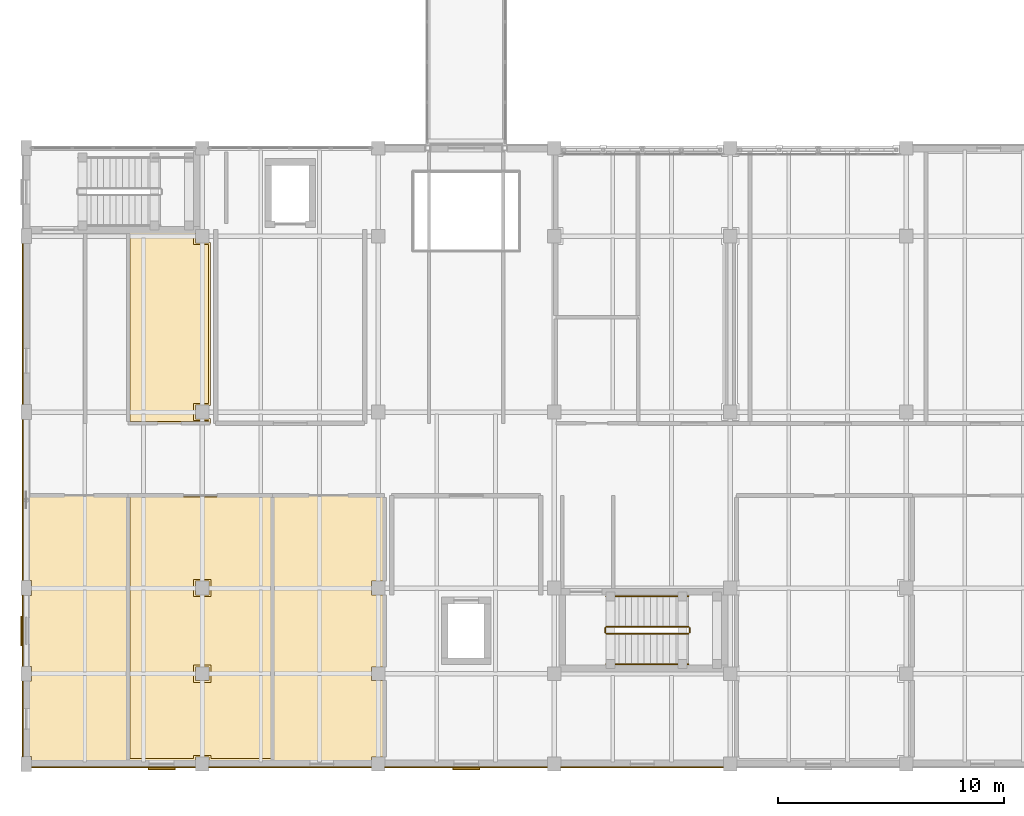
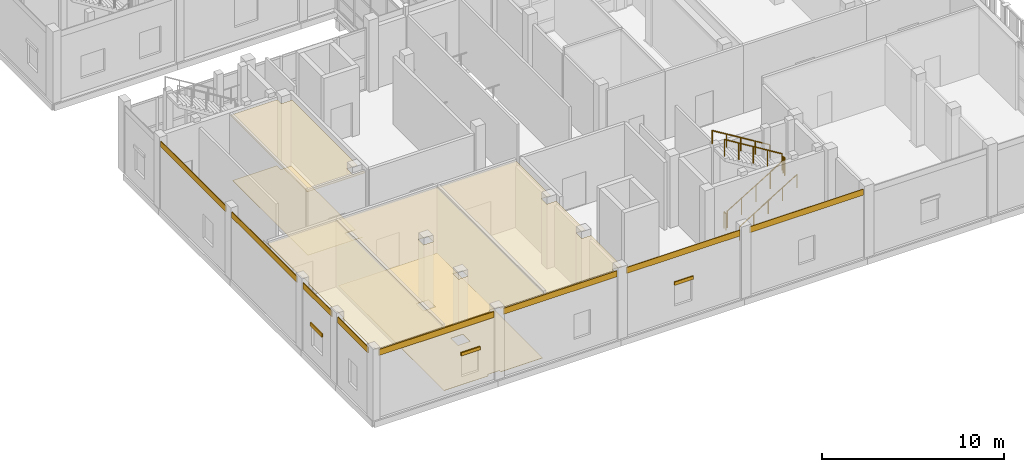
# One storey, part 118 of 138: 14 coverings, 6 railings, 3 shading devices.
"""IFC4 building model written with IfcOpenShell, lengths in metres."""

from ifc_helpers import new_model, si_unit, direction, frame, origin, origin_2d, place, context, subcontext, project, spatial, polyline, rectangle, circle, outline, extrude, material, layer, layer_set, type_object, element, save


model = new_model("IFC4")

# Units and contexts
model_context = context("Model", 3, precision=1e-05, world=origin(), true_north=direction((0.0, 1.0)))
body_context = subcontext(model_context, "Body", "Model", "MODEL_VIEW")
ifc_project = project(units=[si_unit("LENGTHUNIT", "METRE"), si_unit("AREAUNIT", "SQUARE_METRE"), si_unit("VOLUMEUNIT", "CUBIC_METRE"), si_unit("PLANEANGLEUNIT", "RADIAN"), si_unit("MASSUNIT", "GRAM", prefix="KILO")], contexts=[model_context])

# Site, building, storey
site_placement = place(None, origin())
site = spatial("IfcSite", under=ifc_project, at=site_placement, CompositionType="ELEMENT")
building_placement = place(site_placement, origin())
building = spatial("IfcBuilding", under=site, at=building_placement, Name="Celorna Specialist Clinic", CompositionType="ELEMENT")
storey_placement = place(building_placement, frame((0.0, 0.0, 4.800048828125)))
storey = spatial("IfcBuildingStorey", under=building, at=storey_placement, Name="L01", CompositionType="ELEMENT", Elevation=4.800048828125)

# Coverings
ifc_material_1 = material(Name="Hygienic acoustic mineral-fibre ceiling")
ifc_layer_1 = layer(ifc_material_1, 0.030029296875, Name="Hygienic acoustic mineral-fibre ceiling")
ifc_layer_set_1 = layer_set([ifc_layer_1], Name="Hygienic acoustic mineral-fibre ceiling")
covering_type_1 = type_object("IfcCoveringType", Name="CE-01", PredefinedType="CEILING", material=ifc_layer_set_1)
covering_1_placement = place(storey_placement, frame((0.0, 0.0, 4.329833984375)))
element("IfcCovering", 1, at=covering_1_placement, inside=storey, type_object=covering_type_1, Name="Acoustic ceiling L01-094", PredefinedType="CEILING", context=body_context, shape_type="SweptSolid", body=[
    extrude(outline(polyline([(0.155029296875, 3.669921875), (0.22998046875, 3.669921875), (0.22998046875, 4.330078125), (0.155029296875, 4.330078125), (0.155029296875, 7.469970703125), (0.22998046875, 7.469970703125), (0.22998046875, 8.1298828125), (0.155029296875, 8.1298828125), (0.155029296875, 11.9150390625), (4.534912109375, 11.9150390625), (4.534912109375, 0.155029296875), (0.22998046875, 0.155029296875), (0.22998046875, 0.330078125), (0.155029296875, 0.330078125), (0.155029296875, 3.669921875)])), origin(), (0.0, 0.0, 1.0), 0.030029296875),
])
covering_2_placement = place(storey_placement, frame((0.0, 0.0, 4.329833984375)))
element("IfcCovering", 2, at=covering_2_placement, inside=storey, type_object=covering_type_1, Name="Acoustic ceiling L01-095", PredefinedType="CEILING", context=body_context, shape_type="SweptSolid", body=[
    extrude(outline(polyline([(10.93505859375, 11.9150390625), (10.93505859375, 0.155029296875), (8.10498046875, 0.155029296875), (8.10498046875, 0.304931640625), (7.4951171875, 0.304931640625), (7.4951171875, 0.155029296875), (4.5048828125, 0.155029296875), (4.5048828125, 11.9150390625), (10.93505859375, 11.9150390625)]), holes=[polyline([(8.10498046875, 3.695068359375), (8.10498046875, 4.304931640625), (7.4951171875, 4.304931640625), (7.4951171875, 3.695068359375), (8.10498046875, 3.695068359375)]), polyline([(8.10498046875, 7.4951171875), (8.10498046875, 8.10498046875), (7.4951171875, 8.10498046875), (7.4951171875, 7.4951171875), (8.10498046875, 7.4951171875)])]), origin(), (0.0, 0.0, 1.0), 0.030029296875),
])
covering_3_placement = place(storey_placement, frame((0.0, 0.0, 4.329833984375)))
element("IfcCovering", 3, at=covering_3_placement, inside=storey, type_object=covering_type_1, Name="Acoustic ceiling L01-096", PredefinedType="CEILING", context=body_context, shape_type="SweptSolid", body=[
    extrude(outline(polyline([(15.885009765625, 11.9150390625), (15.885009765625, 8.10498046875), (15.294921875, 8.10498046875), (15.294921875, 7.4951171875), (15.885009765625, 7.4951171875), (15.885009765625, 4.304931640625), (15.294921875, 4.304931640625), (15.294921875, 3.695068359375), (15.885009765625, 3.695068359375), (15.885009765625, 0.304931640625), (15.294921875, 0.304931640625), (15.294921875, 0.155029296875), (10.905029296875, 0.155029296875), (10.905029296875, 11.9150390625), (15.885009765625, 11.9150390625)])), origin(), (0.0, 0.0, 1.0), 0.030029296875),
])
covering_4_placement = place(storey_placement, frame((0.0, 0.0, 4.329833984375)))
element("IfcCovering", 4, at=covering_4_placement, inside=storey, type_object=covering_type_1, Name="Acoustic ceiling L01-099", PredefinedType="CEILING", context=body_context, shape_type="SweptSolid", body=[
    extrude(outline(polyline([(8.1650390625, 15.0849609375), (4.5048828125, 15.0849609375), (4.5048828125, 23.534912109375), (7.4951171875, 23.534912109375), (7.4951171875, 23.094970703125), (8.10498046875, 23.094970703125), (8.10498046875, 23.10498046875), (8.1650390625, 23.10498046875), (8.1650390625, 15.89501953125), (8.10498046875, 15.89501953125), (8.10498046875, 15.905029296875), (7.4951171875, 15.905029296875), (7.4951171875, 15.294921875), (8.10498046875, 15.294921875), (8.10498046875, 15.304931640625), (8.1650390625, 15.304931640625), (8.1650390625, 15.0849609375)])), origin(), (0.0, 0.0, 1.0), 0.030029296875),
])
ifc_material_2 = material(Name="Pero Pinheiro Lioz limestone rainscreen cladding", Category="masonry")
ifc_layer_2 = layer(ifc_material_2, 0.044921875, Name="Pero Pinheiro Lioz limestone rainscreen cladding")
ifc_layer_set_2 = layer_set([ifc_layer_2], Name="Pero Pinheiro Lioz limestone rainscreen cladding")
covering_type_2 = type_object("IfcCoveringType", Name="CL-01", PredefinedType="CLADDING", material=ifc_layer_set_2)
covering_5_placement = place(storey_placement, frame((3.862548828125, -0.1474609375, 4.139892578125), z_axis=(0.0, 0.0, 1.0), x_axis=(-1.0, 0.0, 0.0)))
element("IfcCovering", 5, at=covering_5_placement, inside=storey, type_object=covering_type_2, Name="Lioz spandrel cladding #320", PredefinedType="CLADDING", context=body_context, shape_type="SweptSolid", body=[
    extrude(rectangle(XDim=7.27490234375, YDim=0.044921875, at=origin_2d()), origin(), (0.0, 0.0, 1.0), 0.39990234375),
])
for number, where, z_axis, x_axis, name in (
    (6, (11.699951171875, -0.1474609375, 4.139892578125), (0.0, 0.0, 1.0), (-1.0, 0.0, 0.0), "Lioz spandrel cladding #321"),
    (7, (19.5, -0.1474609375, 4.139892578125), (0.0, 0.0, 1.0), (-1.0, 0.0, 0.0), "Lioz spandrel cladding #322"),
    (8, (27.300048828125, -0.1474609375, 4.139892578125), (0.0, 0.0, 1.0), (-1.0, 0.0, 0.0), "Lioz spandrel cladding #323"),
):
    element("IfcCovering", number, at=place(storey_placement, frame(where, z_axis=z_axis, x_axis=x_axis)), inside=storey, type_object=covering_type_2, Name=name, PredefinedType="CLADDING", context=body_context, shape_type="SweptSolid", body=[
        extrude(rectangle(XDim=7.199951171875, YDim=0.044921875, at=origin_2d()), origin(), (0.0, 0.0, 1.0), 0.39990234375),
    ])
covering_6_placement = place(storey_placement, frame((-0.1474609375, 2.0, 4.139892578125), z_axis=(0.0, 0.0, 1.0), x_axis=(0.0, 1.0, 0.0)))
element("IfcCovering", 9, at=covering_6_placement, inside=storey, type_object=covering_type_2, Name="Lioz spandrel cladding #330", PredefinedType="CLADDING", context=body_context, shape_type="SweptSolid", body=[
    extrude(rectangle(XDim=3.35009765625, YDim=0.044921875, at=origin_2d()), origin(), (0.0, 0.0, 1.0), 0.39990234375),
])
covering_7_placement = place(storey_placement, frame((-0.1474609375, 5.89990234375, 4.139892578125), z_axis=(0.0, 0.0, 1.0), x_axis=(0.0, 1.0, 0.0)))
element("IfcCovering", 10, at=covering_7_placement, inside=storey, type_object=covering_type_2, Name="Lioz spandrel cladding #331", PredefinedType="CLADDING", context=body_context, shape_type="SweptSolid", body=[
    extrude(rectangle(XDim=3.14990234375, YDim=0.044921875, at=origin_2d()), origin(), (0.0, 0.0, 1.0), 0.39990234375),
])
for number, where, z_axis, x_axis, name in (
    (11, (-0.1474609375, 11.699951171875, 4.139892578125), (0.0, 0.0, 1.0), (0.0, 1.0, 0.0), "Lioz spandrel cladding #332"),
    (12, (-0.1474609375, 19.5, 4.139892578125), (0.0, 0.0, 1.0), (0.0, 1.0, 0.0), "Lioz spandrel cladding #333"),
):
    element("IfcCovering", number, at=place(storey_placement, frame(where, z_axis=z_axis, x_axis=x_axis)), inside=storey, type_object=covering_type_2, Name=name, PredefinedType="CLADDING", context=body_context, shape_type="SweptSolid", body=[
        extrude(rectangle(XDim=7.14990234375, YDim=0.044921875, at=origin_2d()), origin(), (0.0, 0.0, 1.0), 0.39990234375),
    ])
ifc_material_3 = material(Name="Seamless antimicrobial clinical vinyl and Lioz terrazzo flooring")
ifc_layer_3 = layer(ifc_material_3, 0.02001953125, Name="Seamless antimicrobial clinical vinyl and Lioz terrazzo flooring")
ifc_layer_set_3 = layer_set([ifc_layer_3], Name="Seamless antimicrobial clinical vinyl and Lioz terrazzo flooring")
covering_type_3 = type_object("IfcCoveringType", Name="FL-01", PredefinedType="FLOORING", material=ifc_layer_set_3)
covering_8_placement = place(storey_placement, origin())
element("IfcCovering", 13, at=covering_8_placement, inside=storey, type_object=covering_type_3, Name="Antimicrobial clinical flooring L01-095", PredefinedType="FLOORING", context=body_context, shape_type="SweptSolid", body=[
    extrude(outline(polyline([(4.594970703125, 11.824951171875), (10.844970703125, 11.824951171875), (10.844970703125, 0.2451171875), (8.18505859375, 0.2451171875), (8.18505859375, 0.385009765625), (7.4150390625, 0.385009765625), (7.4150390625, 0.2451171875), (4.594970703125, 0.2451171875), (4.594970703125, 11.824951171875)]), holes=[polyline([(8.18505859375, 3.614990234375), (8.18505859375, 4.385009765625), (7.4150390625, 4.385009765625), (7.4150390625, 3.614990234375), (8.18505859375, 3.614990234375)]), polyline([(8.18505859375, 7.4150390625), (8.18505859375, 8.18505859375), (7.4150390625, 8.18505859375), (7.4150390625, 7.4150390625), (8.18505859375, 7.4150390625)])]), origin(), (0.0, 0.0, 1.0), 0.02001953125),
])
covering_9_placement = place(storey_placement, origin())
element("IfcCovering", 14, at=covering_9_placement, inside=storey, type_object=covering_type_3, Name="Antimicrobial clinical flooring L01-099", PredefinedType="FLOORING", context=body_context, shape_type="SweptSolid", body=[
    extrude(outline(polyline([(8.074951171875, 15.215087890625), (8.074951171875, 15.175048828125), (4.594970703125, 15.175048828125), (4.594970703125, 23.445068359375), (7.4150390625, 23.445068359375), (7.4150390625, 23.014892578125), (8.074951171875, 23.014892578125), (8.074951171875, 15.985107421875), (7.4150390625, 15.985107421875), (7.4150390625, 15.215087890625), (8.074951171875, 15.215087890625)])), origin(), (0.0, 0.0, 1.0), 0.02001953125),
])

# Railings
ifc_material_4 = material(Name="Powder-coated steel S355", Category="steel")
railing_type_1 = type_object("IfcRailingType", Name="GR-01", PredefinedType="GUARDRAIL", material=ifc_material_4)
railing_1_placement = place(storey_placement, frame((25.7099609375, 5.780029296875, 0.17138671875)))
element("IfcRailing", 15, at=railing_1_placement, inside=storey, type_object=railing_type_1, Name="L01 ST-05 stair guard 1", PredefinedType="GUARDRAIL", context=body_context, shape_type="SweptSolid", body=[
    extrude(circle(Radius=0.02392578125, at=origin_2d()), frame((0.0, 0.0, 1.09619140625), z_axis=(0.852865859571, 0.0, 0.52213008492), x_axis=(0.0, 1.0, 0.0)), (0.0, 0.0, 1.0), 4.26806640625),
    extrude(circle(Radius=0.02099609375, at=origin_2d()), origin(), (0.0, 0.0, 1.0), 1.072021484375),
    extrude(circle(Radius=0.02099609375, at=origin_2d()), frame((0.91015625, 0.0, 0.55712890625)), (0.0, 0.0, 1.0), 1.072021484375),
    extrude(circle(Radius=0.02099609375, at=origin_2d()), frame((1.820068359375, 0.0, 1.1142578125)), (0.0, 0.0, 1.0), 1.072021484375),
    extrude(circle(Radius=0.02099609375, at=origin_2d()), frame((2.72998046875, 0.0, 1.67138671875)), (0.0, 0.0, 1.0), 1.072021484375),
    extrude(circle(Radius=0.02099609375, at=origin_2d()), frame((3.64013671875, 0.0, 2.228515625)), (0.0, 0.0, 1.0), 1.072021484375),
])
railing_2_placement = place(storey_placement, frame((29.39990234375, 5.830078125, 2.39990234375)))
element("IfcRailing", 16, at=railing_2_placement, inside=storey, type_object=railing_type_1, Name="L01 ST-05 stair guard 2", PredefinedType="GUARDRAIL", context=body_context, shape_type="SweptSolid", body=[
    extrude(circle(Radius=0.02392578125, at=origin_2d()), frame((0.0, 0.0, 1.09619140625), z_axis=(0.0, 1.0, 0.0), x_axis=(-1.0, 0.0, 0.0)), (0.0, 0.0, 1.0), 0.199951171875),
    extrude(circle(Radius=0.02099609375, at=origin_2d()), origin(), (0.0, 0.0, 1.0), 1.072021484375),
    extrude(circle(Radius=0.02099609375, at=origin_2d()), frame((0.0, 0.199951171875, 0.0)), (0.0, 0.0, 1.0), 1.072021484375),
])
railing_3_placement = place(storey_placement, frame((29.35009765625, 6.080078125, 2.5712890625)))
element("IfcRailing", 17, at=railing_3_placement, inside=storey, type_object=railing_type_1, Name="L01 ST-05 stair guard 3", PredefinedType="GUARDRAIL", context=body_context, shape_type="SweptSolid", body=[
    extrude(circle(Radius=0.02392578125, at=origin_2d()), frame((0.0, 0.0, 1.09619140625), z_axis=(-0.852840387347, 0.0, 0.522171689878), x_axis=(0.0, -1.0, 0.0)), (0.0, 0.0, 1.0), 4.268310546875),
    extrude(circle(Radius=0.02099609375, at=origin_2d()), origin(), (0.0, 0.0, 1.0), 1.072021484375),
    extrude(circle(Radius=0.02099609375, at=origin_2d()), frame((-0.91015625, 0.0, 0.55712890625)), (0.0, 0.0, 1.0), 1.072021484375),
    extrude(circle(Radius=0.02099609375, at=origin_2d()), frame((-1.820068359375, 0.0, 1.1142578125)), (0.0, 0.0, 1.0), 1.072021484375),
    extrude(circle(Radius=0.02099609375, at=origin_2d()), frame((-2.72998046875, 0.0, 1.671630859375)), (0.0, 0.0, 1.0), 1.072021484375),
    extrude(circle(Radius=0.02099609375, at=origin_2d()), frame((-3.64013671875, 0.0, 2.228759765625)), (0.0, 0.0, 1.0), 1.072021484375),
])
railing_4_placement = place(storey_placement, frame((25.659912109375, 5.830078125, 0.0)))
element("IfcRailing", 18, at=railing_4_placement, inside=storey, type_object=railing_type_1, Name="L01 ST-05 stair guard 4", PredefinedType="GUARDRAIL", context=body_context, shape_type="SweptSolid", body=[
    extrude(circle(Radius=0.02392578125, at=origin_2d()), frame((0.0, 0.0, 1.09619140625), z_axis=(0.0, 1.0, 0.0), x_axis=(-1.0, 0.0, 0.0)), (0.0, 0.0, 1.0), 0.199951171875),
    extrude(circle(Radius=0.02099609375, at=origin_2d()), origin(), (0.0, 0.0, 1.0), 1.072021484375),
    extrude(circle(Radius=0.02099609375, at=origin_2d()), frame((0.0, 0.199951171875, 0.0)), (0.0, 0.0, 1.0), 1.072021484375),
])
ifc_material_5 = material(Name="Brushed stainless steel handrail", Category="steel")
railing_type_2 = type_object("IfcRailingType", Name="HR-01", PredefinedType="HANDRAIL", material=ifc_material_5)
railing_5_placement = place(storey_placement, frame((25.7099609375, 4.429931640625, 0.17138671875)))
element("IfcRailing", 19, at=railing_5_placement, inside=storey, type_object=railing_type_2, Name="L01 ST-05 stair handrail 1", PredefinedType="HANDRAIL", context=body_context, shape_type="SweptSolid", body=[
    extrude(circle(Radius=0.02392578125, at=origin_2d()), frame((0.0, 0.0, 0.8759765625), z_axis=(0.852865859571, 0.0, 0.52213008492), x_axis=(0.0, 1.0, 0.0)), (0.0, 0.0, 1.0), 4.26806640625),
    extrude(circle(Radius=0.02099609375, at=origin_2d()), origin(), (0.0, 0.0, 1.0), 0.851806640625),
    extrude(circle(Radius=0.02099609375, at=origin_2d()), frame((0.91015625, 0.0, 0.55712890625)), (0.0, 0.0, 1.0), 0.851806640625),
    extrude(circle(Radius=0.02099609375, at=origin_2d()), frame((1.820068359375, 0.0, 1.1142578125)), (0.0, 0.0, 1.0), 0.851806640625),
    extrude(circle(Radius=0.02099609375, at=origin_2d()), frame((2.72998046875, 0.0, 1.67138671875)), (0.0, 0.0, 1.0), 0.851806640625),
    extrude(circle(Radius=0.02099609375, at=origin_2d()), frame((3.64013671875, 0.0, 2.228515625)), (0.0, 0.0, 1.0), 0.851806640625),
])
railing_6_placement = place(storey_placement, frame((29.35009765625, 7.429931640625, 2.5712890625)))
element("IfcRailing", 20, at=railing_6_placement, inside=storey, type_object=railing_type_2, Name="L01 ST-05 stair handrail 2", PredefinedType="HANDRAIL", context=body_context, shape_type="SweptSolid", body=[
    extrude(circle(Radius=0.02392578125, at=origin_2d()), frame((0.0, 0.0, 0.8759765625), z_axis=(-0.852840387347, 0.0, 0.522171689878), x_axis=(0.0, -1.0, 0.0)), (0.0, 0.0, 1.0), 4.268310546875),
    extrude(circle(Radius=0.02099609375, at=origin_2d()), origin(), (0.0, 0.0, 1.0), 0.851806640625),
    extrude(circle(Radius=0.02099609375, at=origin_2d()), frame((-0.91015625, 0.0, 0.55712890625)), (0.0, 0.0, 1.0), 0.851806640625),
    extrude(circle(Radius=0.02099609375, at=origin_2d()), frame((-1.820068359375, 0.0, 1.1142578125)), (0.0, 0.0, 1.0), 0.851806640625),
    extrude(circle(Radius=0.02099609375, at=origin_2d()), frame((-2.72998046875, 0.0, 1.671630859375)), (0.0, 0.0, 1.0), 0.851806640625),
    extrude(circle(Radius=0.02099609375, at=origin_2d()), frame((-3.64013671875, 0.0, 2.228759765625)), (0.0, 0.0, 1.0), 0.851806640625),
])

# Shading devices
ifc_material_6 = material(Name="Anodized aluminium solar louvre", Category="aluminium")
ifc_layer_4 = layer(ifc_material_6, 0.080078125, Name="Anodized aluminium solar louvre")
ifc_layer_set_4 = layer_set([ifc_layer_4], Name="Anodized aluminium solar louvre")
shading_device_type = type_object("IfcShadingDeviceType", Name="LV-01", PredefinedType="JALOUSIE", material=ifc_layer_set_4)
for number, where, z_axis, x_axis, name in (
    (21, (6.0, -0.2099609375, 2.33984375), (0.0, 0.0, 1.0), (-1.0, 0.0, 0.0), "External solar louvre LV-01 #192"),
    (22, (19.5, -0.2099609375, 2.33984375), (0.0, 0.0, 1.0), (-1.0, 0.0, 0.0), "External solar louvre LV-01 #194"),
):
    element("IfcShadingDevice", number, at=place(storey_placement, frame(where, z_axis=z_axis, x_axis=x_axis)), inside=storey, type_object=shading_device_type, Name=name, PredefinedType="JALOUSIE", context=body_context, shape_type="SweptSolid", body=[
        extrude(rectangle(XDim=1.199951171875, YDim=0.080078125, at=origin_2d()), origin(), (0.0, 0.0, 1.0), 0.219970703125),
    ])
shading_device_placement = place(storey_placement, frame((-0.2099609375, 5.89990234375, 2.23974609375), z_axis=(0.0, 0.0, 1.0), x_axis=(0.0, 1.0, 0.0)))
element("IfcShadingDevice", 23, at=shading_device_placement, inside=storey, type_object=shading_device_type, Name="External solar louvre LV-01 #200", PredefinedType="JALOUSIE", context=body_context, shape_type="SweptSolid", body=[
    extrude(rectangle(XDim=1.300048828125, YDim=0.080078125, at=origin_2d()), origin(), (0.0, 0.0, 1.0), 0.219970703125),
])

save(model, "model.ifc")
